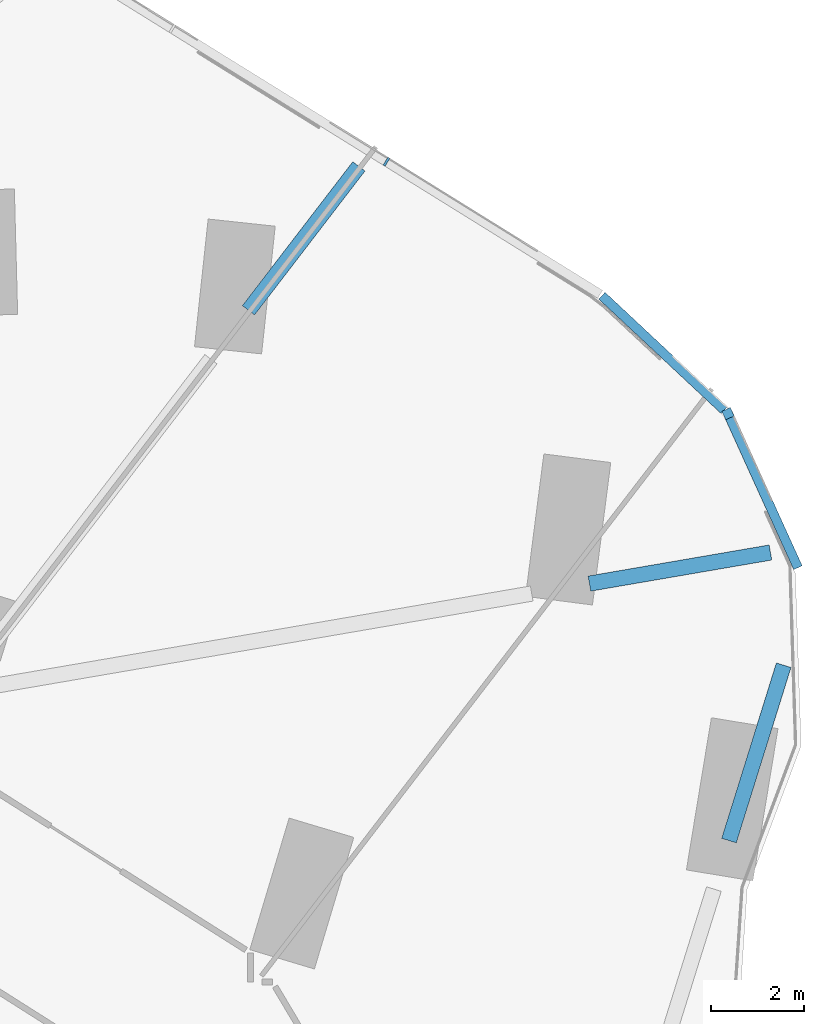
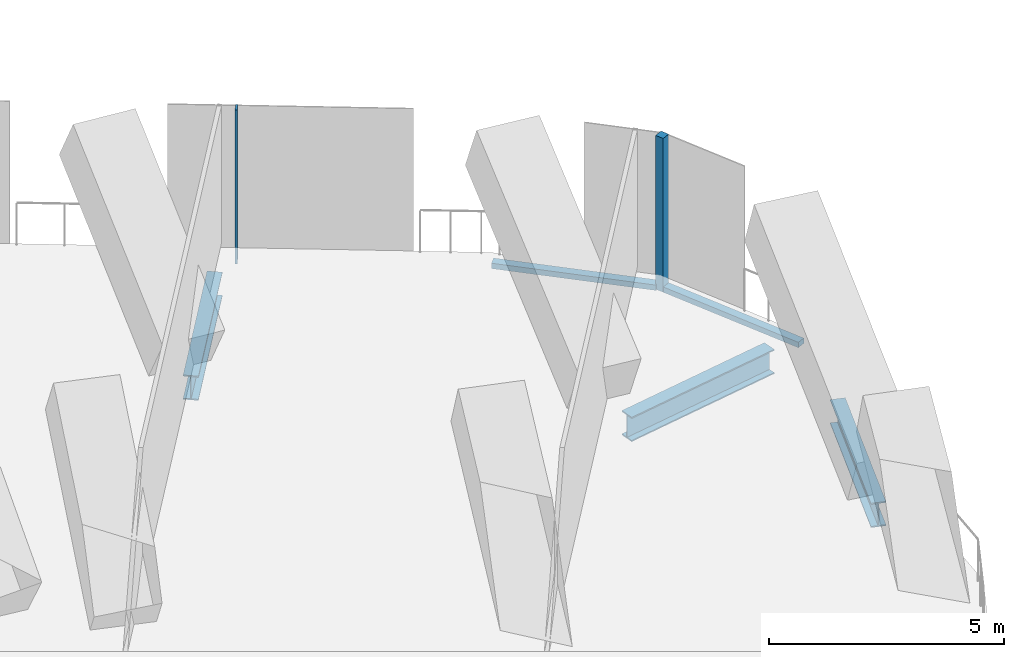
# One storey, part 11 of 32: 4 members, 3 beams, 3 elements without a shape of their own.
"""IFC4 building model written with IfcOpenShell, lengths in metres."""

import ifcopenshell
import ifcopenshell.guid

model = None  # the IFC model being written
_history = None  # IfcOwnerHistory: only IFC2X3 demands one
_inside = {}  # id of a spatial element -> (the spatial element, [elements in it])
_under = {}  # id of a project, library or spatial element -> (it, [spatial elements below it])
_declared = {}  # id of a project -> (the project, [libraries it declares])
_typed = {}  # id of a type object -> (the type object, [elements of that type])
_made_of = {}  # id of a material, layer set ... -> (it, [elements and type objects made of it])


def new_model(schema):
    """Start an empty IFC model of exactly this schema.

    Asked for "IFC4X3", IfcOpenShell would pick the latest addendum, in which some entities
    have other attributes; the version numbers below select the first issue.
    IFC2X3 requires an IfcOwnerHistory on every rooted entity: one is made here for all.
    """
    global model, _history
    if schema == "IFC4X3":
        model = ifcopenshell.file(schema_version=(4, 3, 0, 0))
    else:
        model = ifcopenshell.file(schema=schema)
    _inside.clear()
    _under.clear()
    _declared.clear()
    _typed.clear()
    _made_of.clear()
    _history = None
    if model.schema == "IFC2X3":
        org = make("IfcOrganization", Name="unknown")
        user = make(
            "IfcPersonAndOrganization",
            ThePerson=make("IfcPerson", FamilyName="unknown"),
            TheOrganization=org,
        )
        app = make(
            "IfcApplication",
            ApplicationDeveloper=org,
            Version="unknown",
            ApplicationFullName="unknown",
            ApplicationIdentifier="unknown",
        )
        _history = make(
            "IfcOwnerHistory",
            OwningUser=user,
            OwningApplication=app,
            ChangeAction="ADDED",
            CreationDate=0,
        )
    return model


def make(cls, **values):
    """One entity of the class cls with the attributes given. An attribute that is None is left unset."""
    return model.create_entity(
        cls, **{name: value for name, value in values.items() if value is not None}
    )


def rooted(cls, **values):
    """An entity with a GlobalId (a new one), such as an element, a storey or a relation."""
    return make(cls, GlobalId=ifcopenshell.guid.new(), OwnerHistory=_history, **values)


def si_unit(unit_type, name, prefix=None):
    """IfcSIUnit, for example si_unit("LENGTHUNIT", "METRE", prefix="MILLI")."""
    return make("IfcSIUnit", UnitType=unit_type, Prefix=prefix, Name=name)


def assignment(units):
    """IfcUnitAssignment: the units of a project."""
    return None if units is None else make("IfcUnitAssignment", Units=units)


def point(xyz):
    """IfcCartesianPoint."""
    return None if xyz is None else make("IfcCartesianPoint", Coordinates=xyz)


def direction(xyz):
    """IfcDirection."""
    return None if xyz is None else make("IfcDirection", DirectionRatios=xyz)


def frame(location, z_axis=None, x_axis=None):
    """IfcAxis2Placement3D, a coordinate frame: its origin and axes. An axis left out is left unset."""
    return make(
        "IfcAxis2Placement3D",
        Location=point(location),
        Axis=direction(z_axis),
        RefDirection=direction(x_axis),
    )


def frame_2d(location, x_axis=None):
    """IfcAxis2Placement2D, a coordinate frame in the plane: its origin and x axis."""
    return make(
        "IfcAxis2Placement2D", Location=point(location), RefDirection=direction(x_axis)
    )


def origin():
    """The frame at (0, 0, 0) with its axes left unset."""
    return frame((0.0, 0.0, 0.0))


def origin_2d():
    """The frame at (0, 0) in the plane with its x axis left unset."""
    return frame_2d((0.0, 0.0))


def place(relative_to, where):
    """IfcLocalPlacement: puts the frame where relative to a parent placement (None: the world)."""
    return make(
        "IfcLocalPlacement", PlacementRelTo=relative_to, RelativePlacement=where
    )


def context(
    kind, dimensions, precision=None, world=None, true_north=None, identifier=None
):
    """IfcGeometricRepresentationContext, for example the 3D "Model" context."""
    return make(
        "IfcGeometricRepresentationContext",
        ContextIdentifier=identifier,
        ContextType=kind,
        CoordinateSpaceDimension=dimensions,
        Precision=precision,
        WorldCoordinateSystem=world,
        TrueNorth=true_north,
    )


def subcontext(parent, identifier, kind, view, scale=None):
    """IfcGeometricRepresentationSubContext, for example "Body" below "Model"."""
    return make(
        "IfcGeometricRepresentationSubContext",
        ContextIdentifier=identifier,
        ContextType=kind,
        ParentContext=parent,
        TargetScale=scale,
        TargetView=view,
    )


def project(units=None, contexts=None):
    """IfcProject with its units and contexts."""
    return rooted(
        "IfcProject",
        Name="project",
        RepresentationContexts=contexts,
        UnitsInContext=assignment(units),
    )


def spatial(cls, under=None, at=None, **own):
    """A site, building, storey or space (cls), placed at a placement, below another one or the project."""
    s = rooted(cls, ObjectPlacement=at, **own)
    if under is not None:
        _under.setdefault(under.id(), (under, []))[1].append(s)
    return s


def profile(cls, at=None, kind="AREA", **sizes):
    """A parametric profile (cls). Its sizes go by their IFC names, for example OverallWidth=200.0."""
    return make(cls, ProfileType=kind, Position=at, **sizes)


def rectangle(**sizes):
    """IfcRectangleProfileDef."""
    return profile("IfcRectangleProfileDef", **sizes)


def i_section(**sizes):
    """IfcIShapeProfileDef."""
    return profile("IfcIShapeProfileDef", **sizes)


def extrude(swept, where, along, depth):
    """IfcExtrudedAreaSolid: the profile swept, set in the frame where, extruded along a direction by depth."""
    return make(
        "IfcExtrudedAreaSolid",
        SweptArea=swept,
        Position=where,
        ExtrudedDirection=direction(along),
        Depth=depth,
    )


def shape(context_of_items, identifier, shape_type, items):
    """IfcShapeRepresentation: the items that make up one representation, for example the "Body"."""
    return make(
        "IfcShapeRepresentation",
        ContextOfItems=context_of_items,
        RepresentationIdentifier=identifier,
        RepresentationType=shape_type,
        Items=items,
    )


def material(Name=None, Category=None):
    """IfcMaterial."""
    return make("IfcMaterial", Name=Name, Category=Category)


def material_profile(
    of_material, cross_section, Name=None, Category=None, Priority=None
):
    """IfcMaterialProfile: a cross section and its material."""
    return make(
        "IfcMaterialProfile",
        Name=Name,
        Material=of_material,
        Profile=cross_section,
        Priority=Priority,
        Category=Category,
    )


def profile_set(profiles, Name=None, composite=None):
    """IfcMaterialProfileSet."""
    return make(
        "IfcMaterialProfileSet",
        Name=Name,
        MaterialProfiles=profiles,
        CompositeProfile=composite,
    )


def made_of(thing, what):
    """Note that an element or type object is made of a material, layer set ...; save() writes the relation."""
    if what is not None:
        _made_of.setdefault(what.id(), (what, []))[1].append(thing)
    return thing


def type_object(cls, material=None, **own):
    """A type object (cls), such as IfcWallType, which elements share."""
    return made_of(rooted(cls, **own), material)


def element(
    cls,
    number,
    at=None,
    inside=None,
    cuts=None,
    type_object=None,
    material=None,
    context=None,
    identifier="Body",
    shape_type=None,
    held_by="IfcProductDefinitionShape",
    body=None,
    shapes=None,
    **own,
):
    """One element of the class cls, such as IfcWall. Its Tag is "e" and its number.

    at: its placement. inside: the storey or other place that contains it. cuts: it is an
    opening in that element (IfcRelVoidsElement). A single representation is given by context,
    identifier, shape_type and body (its items); several are given by shapes. held_by: the class
    of the entity that holds the representations. save() writes the other relations.
    """
    e = rooted(cls, Tag="e%d" % number, ObjectPlacement=at, **own)
    if body is not None:
        shapes = [shape(context, identifier, shape_type, body)]
    if shapes is not None:
        e.Representation = make(held_by, Representations=shapes)
    if inside is not None:
        _inside.setdefault(inside.id(), (inside, []))[1].append(e)
    if cuts is not None:
        rooted(
            "IfcRelVoidsElement", RelatingBuildingElement=cuts, RelatedOpeningElement=e
        )
    if type_object is not None:
        _typed.setdefault(type_object.id(), (type_object, []))[1].append(e)
    return made_of(e, material)


def aggregate(whole, parts):
    """IfcRelAggregates: a whole, such as a stair, and the parts it consists of."""
    return rooted("IfcRelAggregates", RelatingObject=whole, RelatedObjects=parts)


def save(model, path):
    """Write the relations noted so far, then the file.

    IfcRelAggregates (storeys below a building ...), IfcRelContainedInSpatialStructure (elements
    in a storey), IfcRelDefinesByType, IfcRelAssociatesMaterial and IfcRelDeclares: one each for
    every whole, place, type object, material and project.
    """
    for whole, parts in _under.values():
        aggregate(whole, parts)
    for where, things in _inside.values():
        rooted(
            "IfcRelContainedInSpatialStructure",
            RelatedElements=things,
            RelatingStructure=where,
        )
    for kind, things in _typed.values():
        rooted("IfcRelDefinesByType", RelatedObjects=things, RelatingType=kind)
    for what, things in _made_of.values():
        rooted("IfcRelAssociatesMaterial", RelatedObjects=things, RelatingMaterial=what)
    for by, libraries in _declared.values():
        rooted("IfcRelDeclares", RelatingContext=by, RelatedDefinitions=libraries)
    model.write(path)


model = new_model("IFC4")

# Units and contexts
model_context = context("Model", 3, precision=1e-05, world=origin(), true_north=direction((0.0, 1.0)))
body_context = subcontext(model_context, "Body", "Model", "MODEL_VIEW")
ifc_project = project(units=[si_unit("LENGTHUNIT", "METRE"), si_unit("AREAUNIT", "SQUARE_METRE"), si_unit("VOLUMEUNIT", "CUBIC_METRE"), si_unit("PLANEANGLEUNIT", "RADIAN"), si_unit("MASSUNIT", "GRAM", prefix="KILO")], contexts=[model_context])

# Site, building, storey
site_placement = place(None, origin())
site = spatial("IfcSite", under=ifc_project, at=site_placement, CompositionType="ELEMENT")
building_placement = place(site_placement, origin())
building = spatial("IfcBuilding", under=site, at=building_placement, Name="Orlundy Tower", CompositionType="ELEMENT")
storey_placement = place(building_placement, frame((0.0, 0.0, 33.300048828125)))
storey = spatial("IfcBuildingStorey", under=building, at=storey_placement, Name="L06", CompositionType="ELEMENT", Elevation=33.300048828125)

# Beams
ifc_material_1 = material(Name="Steel ASTM A992 Gr 50", Category="steel")
ifc_material_profile_1 = material_profile(ifc_material_1, i_section(OverallWidth=0.3291015625, OverallDepth=0.635009765625, WebThickness=0.017822265625, FlangeThickness=0.031005859375, at=origin_2d()), Name="W24X162")
ifc_profile_set_1 = profile_set([ifc_material_profile_1], Name="Steel ASTM A992 Gr 50")
beam_type = type_object("IfcBeamType", Name="CANTILEVER GIRDER beam W24X162", PredefinedType="BEAM", material=ifc_profile_set_1)
beam_placement = place(storey_placement, frame((47.881591796875, -6.537353515625, -0.737548828125), z_axis=(-0.608769300173, -0.793347300472, 0.0), x_axis=(0.793347300472, -0.608769300173, 0.0)))
element("IfcBeam", 1, at=beam_placement, inside=storey, type_object=beam_type, Name="Cantilever girder C-A5-2 L06", PredefinedType="BEAM", context=body_context, shape_type="SweptSolid", body=[
    extrude(i_section(OverallWidth=0.3291015625, OverallDepth=0.635009765625, WebThickness=0.017822265625, FlangeThickness=0.031005859375, at=origin_2d()), origin(), (0.0, 0.0, 1.0), 3.8994140625),
])
for number, where, z_axis, x_axis, name in (
    (2, (56.7314453125, -14.839599609375, -0.737548828125), (-0.985566619738, -0.169288032827, 0.0), (0.169288032827, -0.985566619738, 0.0), "Cantilever girder C-A5-3 L06"),
    (3, (57.015625, -17.2626953125, -0.737548828125), (-0.29771890958, -0.954653576371, 0.0), (0.954653576371, -0.29771890958, 0.0), "Cantilever girder C-A5-5 L06"),
):
    element("IfcBeam", number, at=place(storey_placement, frame(where, z_axis=z_axis, x_axis=x_axis)), inside=storey, type_object=beam_type, Name=name, PredefinedType="BEAM", context=body_context, shape_type="SweptSolid", body=[
        extrude(i_section(OverallWidth=0.3291015625, OverallDepth=0.635009765625, WebThickness=0.017822265625, FlangeThickness=0.031005859375, at=origin_2d()), origin(), (0.0, 0.0, 1.0), 3.9501953125),
    ])

# Curtain wall, member
ifc_material_2 = material(Name="Aluminium bronze anodised", Category="aluminium")
curtain_wall_type = type_object("IfcCurtainWallType", Name="CW5 wall", PredefinedType="NOTDEFINED", material=ifc_material_2)
curtain_wall_1_placement = place(storey_placement, origin())
curtain_wall_1 = element("IfcCurtainWall", 4, at=curtain_wall_1_placement, inside=storey, type_object=curtain_wall_type, Name="CW5 run 017", PredefinedType="NOTDEFINED")
ifc_material_3 = material(Name="Aluminium bronze anodised", Category="aluminium")
ifc_material_profile_2 = material_profile(ifc_material_3, rectangle(XDim=0.199951171875, YDim=0.199951171875, at=origin_2d()), Name="CW5 corner post 200x200")
ifc_profile_set_2 = profile_set([ifc_material_profile_2], Name="Aluminium bronze anodised")
member_type_1 = type_object("IfcMemberType", Name="CW5 corner post 200x200", PredefinedType="MULLION", material=ifc_profile_set_2)
member_1_placement = place(storey_placement, frame((55.81884765625, -11.853515625, -0.420166015625), z_axis=(0.0, 0.0, 1.0), x_axis=(0.91057887201, 0.413335357608, 0.0)))
member_1 = element("IfcMember", 5, at=member_1_placement, type_object=member_type_1, Name="CW5 mullion 29", PredefinedType="MULLION", context=body_context, shape_type="SweptSolid", body=[
    extrude(rectangle(XDim=0.199951171875, YDim=0.199951171875, at=origin_2d()), origin(), (0.0, 0.0, 1.0), 4.0),
])

curtain_wall_2_placement = place(storey_placement, origin())
curtain_wall_2 = element("IfcCurtainWall", 6, at=curtain_wall_2_placement, inside=storey, type_object=curtain_wall_type, Name="CW5 run 015", PredefinedType="NOTDEFINED")
ifc_material_4 = material(Name="Aluminium bronze anodised", Category="aluminium")
ifc_material_profile_3 = material_profile(ifc_material_4, rectangle(XDim=0.199951171875, YDim=0.050048828125, at=origin_2d()), Name="CW5 mullion 50x200")
ifc_profile_set_3 = profile_set([ifc_material_profile_3], Name="Aluminium bronze anodised")
member_type_2 = type_object("IfcMemberType", Name="CW5 mullion 50x200", PredefinedType="MULLION", material=ifc_profile_set_3)
member_2_placement = place(storey_placement, frame((48.47509765625, -6.4365234375, -0.420166015625), z_axis=(0.0, 0.0, 1.0), x_axis=(0.527462960773, 0.849578027619, 0.0)))
member_2 = element("IfcMember", 7, at=member_2_placement, type_object=member_type_2, Name="CW5 mullion 27", PredefinedType="MULLION", context=body_context, shape_type="SweptSolid", body=[
    extrude(rectangle(XDim=0.199951171875, YDim=0.050048828125, at=origin_2d()), origin(), (0.0, 0.0, 1.0), 4.0),
])
aggregate(curtain_wall_2, [member_2])

curtain_wall_3_placement = place(storey_placement, origin())
curtain_wall_3 = element("IfcCurtainWall", 8, at=curtain_wall_3_placement, inside=storey, type_object=curtain_wall_type, Name="CW5 run 016", PredefinedType="NOTDEFINED")
ifc_material_5 = material(Name="Aluminium bronze anodised", Category="aluminium")
ifc_material_profile_4 = material_profile(ifc_material_5, rectangle(XDim=0.199951171875, YDim=0.139892578125, at=origin_2d()), Name="CW5 transom 200x140")
ifc_profile_set_4 = profile_set([ifc_material_profile_4], Name="Aluminium bronze anodised")
member_type_3 = type_object("IfcMemberType", Name="CW5 transom 200x140", PredefinedType="USERDEFINED", material=ifc_profile_set_4)
member_3_placement = place(storey_placement, frame((53.107421875, -9.318359375, -0.35009765625), z_axis=(0.730453463667, -0.682962471455, 0.0), x_axis=(0.682962471455, 0.730453463667, 0.0)))
member_3 = element("IfcMember", 9, at=member_3_placement, type_object=member_type_3, Name="CW5 transom", ObjectType="TRANSOM", PredefinedType="USERDEFINED", context=body_context, shape_type="SweptSolid", body=[
    extrude(rectangle(XDim=0.199951171875, YDim=0.139892578125, at=origin_2d()), origin(), (0.0, 0.0, 1.0), 3.603759765625),
])
aggregate(curtain_wall_3, [member_3])

# Member
member_4_placement = place(storey_placement, frame((55.860107421875, -11.944580078125, -0.35009765625), z_axis=(0.413334984649, -0.910579041306, 0.0), x_axis=(0.910579041306, 0.413334984649, 0.0)))
member_4 = element("IfcMember", 10, at=member_4_placement, type_object=member_type_3, Name="CW5 transom", ObjectType="TRANSOM", PredefinedType="USERDEFINED", context=body_context, shape_type="SweptSolid", body=[
    extrude(rectangle(XDim=0.199951171875, YDim=0.139892578125, at=origin_2d()), origin(), (0.0, 0.0, 1.0), 3.5380859375),
])

aggregate(curtain_wall_1, [member_1, member_4])

save(model, "model.ifc")
